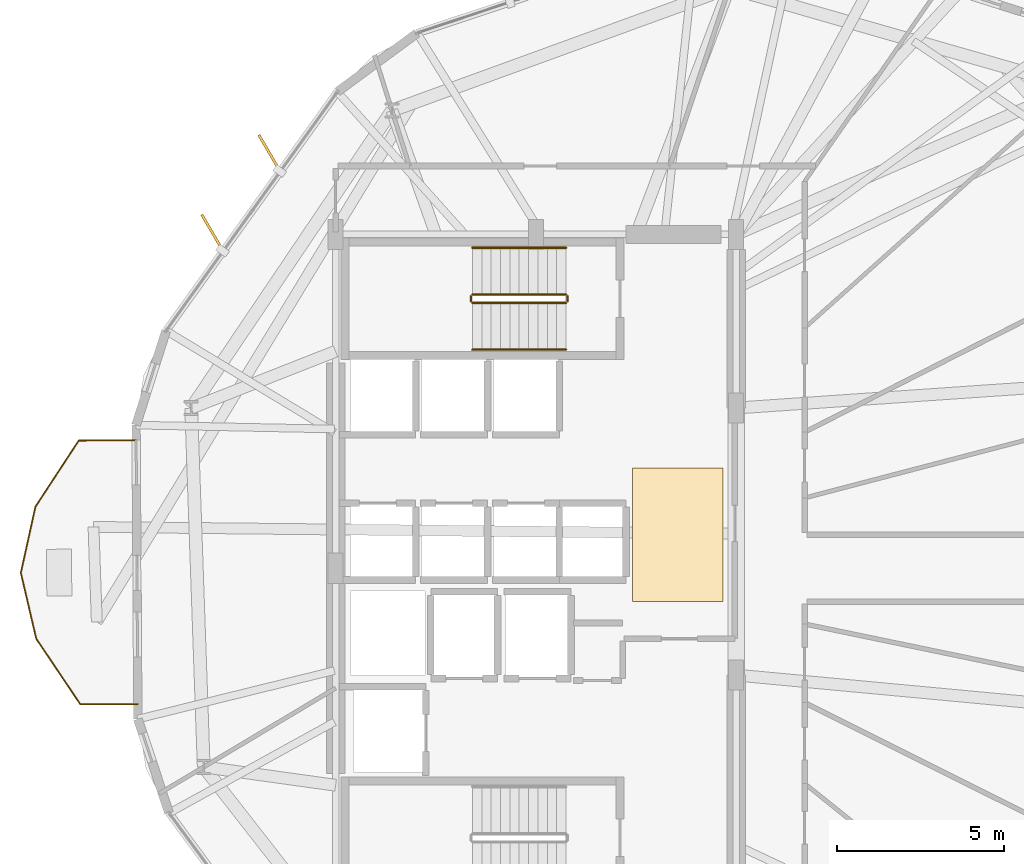
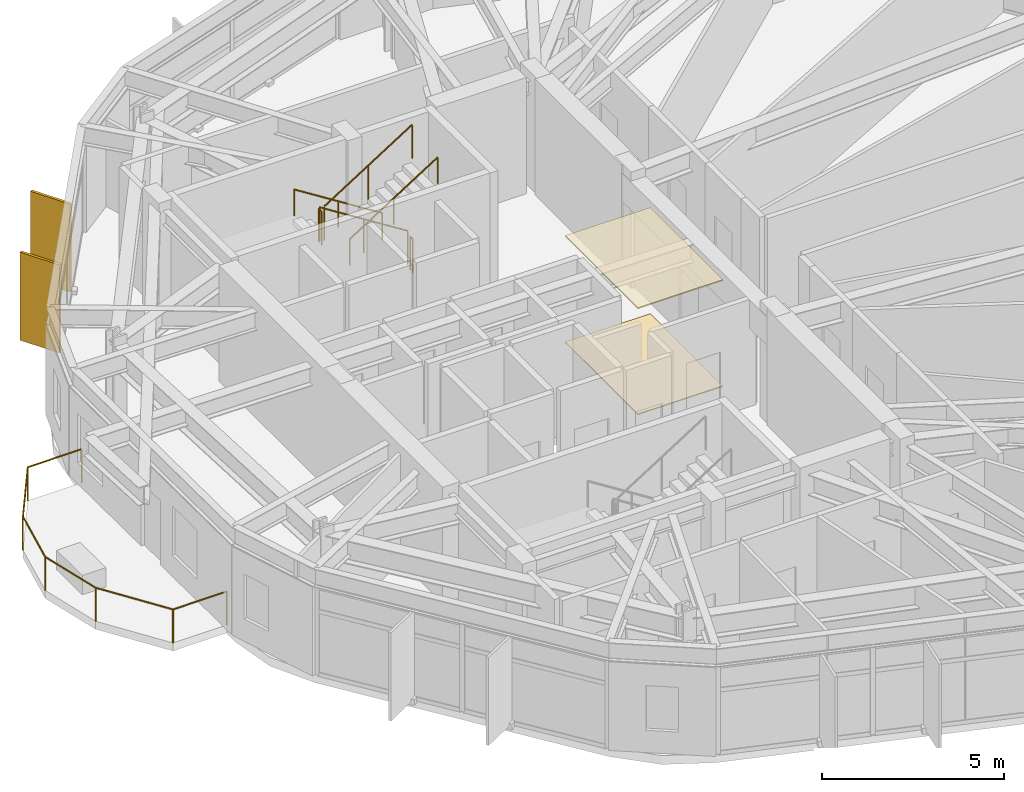
# One storey, part 26 of 27: 7 railings, 2 coverings, 2 shading devices.
"""IFC4 building model written with IfcOpenShell, lengths in metres."""

from ifc_helpers import new_model, si_unit, direction, frame, origin, origin_2d, place, context, subcontext, project, spatial, polyline, rectangle, circle, outline, extrude, material, layer, layer_set, type_object, element, save


model = new_model("IFC4")

# Units and contexts
model_context = context("Model", 3, precision=1e-05, world=origin(), true_north=direction((0.0, 1.0)))
body_context = subcontext(model_context, "Body", "Model", "MODEL_VIEW")
ifc_project = project(units=[si_unit("LENGTHUNIT", "METRE"), si_unit("AREAUNIT", "SQUARE_METRE"), si_unit("VOLUMEUNIT", "CUBIC_METRE"), si_unit("PLANEANGLEUNIT", "RADIAN"), si_unit("MASSUNIT", "GRAM", prefix="KILO")], contexts=[model_context])

# Site, building, storey
site_placement = place(None, origin())
site = spatial("IfcSite", under=ifc_project, at=site_placement, CompositionType="ELEMENT")
building_placement = place(site_placement, origin())
building = spatial("IfcBuilding", under=site, at=building_placement, Name="Soratama Intermodal Tower", CompositionType="ELEMENT")
storey_placement = place(building_placement, frame((0.0, 0.0, 99.10009765625)))
storey = spatial("IfcBuildingStorey", under=building, at=storey_placement, Name="L23", CompositionType="ELEMENT", Elevation=99.10009765625)

# Coverings
ifc_material_1 = material(Name="Perforated mineral acoustic ceiling", Category="concrete")
ifc_layer_1 = layer(ifc_material_1, 0.0400390625)
ifc_layer_set_1 = layer_set([ifc_layer_1], Name="Perforated mineral acoustic ceiling")
covering_type_1 = type_object("IfcCoveringType", Name="CV-CEIL-ACOUSTIC", PredefinedType="CEILING", material=ifc_layer_set_1)
covering_1_placement = place(storey_placement, frame((0.0, 0.0, 3.559814453125)))
element("IfcCovering", 1, at=covering_1_placement, inside=storey, type_object=covering_type_1, Name="L23 Acoustic Ceiling", PredefinedType="CEILING", context=body_context, shape_type="SweptSolid", body=[
    extrude(outline(polyline([(41.5, 24.0), (44.199951171875, 24.0), (44.199951171875, 28.0), (41.5, 28.0), (41.5, 24.0)])), origin(), (0.0, 0.0, 1.0), 0.0400390625),
])
ifc_material_2 = material(Name="Polished Andean stone terrazzo flooring", Category="masonry")
ifc_layer_2 = layer(ifc_material_2, 0.030029296875)
ifc_layer_set_2 = layer_set([ifc_layer_2], Name="Polished Andean stone terrazzo flooring")
covering_type_2 = type_object("IfcCoveringType", Name="CV-FLOR-TERRAZZO", PredefinedType="FLOORING", material=ifc_layer_set_2)
covering_2_placement = place(storey_placement, origin())
element("IfcCovering", 2, at=covering_2_placement, inside=storey, type_object=covering_type_2, Name="L23 Lobby Terrazzo Flooring", PredefinedType="FLOORING", context=body_context, shape_type="SweptSolid", body=[
    extrude(outline(polyline([(41.5, 24.0), (44.199951171875, 24.0), (44.199951171875, 28.0), (41.5, 28.0), (41.5, 24.0)])), origin(), (0.0, 0.0, 1.0), 0.02978515625),
])

# Railings
ifc_material_3 = material(Name="Laminated glass and stainless steel balustrade", Category="steel")
railing_type_1 = type_object("IfcRailingType", Name="RL-BAL-1150", PredefinedType="BALUSTRADE", material=ifc_material_3)
railing_1_placement = place(storey_placement, frame((26.67333984375, 20.931396484375, 0.0)))
element("IfcRailing", 3, at=railing_1_placement, inside=storey, type_object=railing_type_1, Name="L23 Balcony Balustrade 3", PredefinedType="BALUSTRADE", context=body_context, shape_type="SweptSolid", body=[
    extrude(circle(Radius=0.02392578125, at=origin_2d()), frame((0.0, 0.0, 1.1259765625), z_axis=(-0.999980497034, -0.006245442423, 0.0), x_axis=(0.006245442423, -0.999980497034, 0.0)), (0.0, 0.0, 1.0), 1.719970703125),
    extrude(circle(Radius=0.02392578125, at=origin_2d()), frame((-1.719970703125, -0.0107421875, 1.1259765625), z_axis=(-0.557926700246, 0.82989023199, 0.0), x_axis=(-0.82989023199, -0.557926700246, 0.0)), (0.0, 0.0, 1.0), 2.371826171875),
    extrude(circle(Radius=0.02392578125, at=origin_2d()), frame((-3.043212890625, 1.95751953125, 1.1259765625), z_axis=(-0.227629367038, 0.973747847886, 0.0), x_axis=(-0.973747847886, -0.227629367038, 0.0)), (0.0, 0.0, 1.0), 2.027099609375),
    extrude(circle(Radius=0.02392578125, at=origin_2d()), frame((-3.504638671875, 3.931396484375, 1.1259765625), z_axis=(0.215348851196, 0.976537184284, 0.0), x_axis=(-0.976537184284, 0.215348851196, 0.0)), (0.0, 0.0, 1.0), 2.027099609375),
    extrude(circle(Radius=0.02392578125, at=origin_2d()), frame((-3.068115234375, 5.910888671875, 1.1259765625), z_axis=(0.547482293231, 0.836817267149, 0.0), x_axis=(-0.836817267149, 0.547482293231, 0.0)), (0.0, 0.0, 1.0), 2.371826171875),
    extrude(circle(Radius=0.02392578125, at=origin_2d()), frame((-1.76953125, 7.895751953125, 1.1259765625), z_axis=(0.999980491497, 0.006246329021, 0.0), x_axis=(-0.006246329021, 0.999980491497, 0.0)), (0.0, 0.0, 1.0), 1.7197265625),
    extrude(circle(Radius=0.02099609375, at=origin_2d()), origin(), (0.0, 0.0, 1.0), 1.101806640625),
    extrude(circle(Radius=0.02099609375, at=origin_2d()), frame((-1.719970703125, -0.0107421875, 0.0)), (0.0, 0.0, 1.0), 1.101806640625),
    extrude(circle(Radius=0.02099609375, at=origin_2d()), frame((-3.043212890625, 1.95751953125, 0.0)), (0.0, 0.0, 1.0), 1.101806640625),
    extrude(circle(Radius=0.02099609375, at=origin_2d()), frame((-3.504638671875, 3.931396484375, 0.0)), (0.0, 0.0, 1.0), 1.101806640625),
    extrude(circle(Radius=0.02099609375, at=origin_2d()), frame((-3.068115234375, 5.910888671875, 0.0)), (0.0, 0.0, 1.0), 1.101806640625),
    extrude(circle(Radius=0.02099609375, at=origin_2d()), frame((-1.76953125, 7.895751953125, 0.0)), (0.0, 0.0, 1.0), 1.101806640625),
    extrude(circle(Radius=0.02099609375, at=origin_2d()), frame((-0.0498046875, 7.906494140625, 0.0)), (0.0, 0.0, 1.0), 1.101806640625),
])
ifc_material_4 = material(Name="Painted steel stair guardrail", Category="steel")
railing_type_2 = type_object("IfcRailingType", Name="RL-STAIR-GUARD", PredefinedType="GUARDRAIL", material=ifc_material_4)
railing_2_placement = place(storey_placement, frame((39.5, 33.199951171875, 0.17724609375)))
element("IfcRailing", 4, at=railing_2_placement, inside=storey, type_object=railing_type_2, Name="L23 ST-2 stair guard 1", PredefinedType="GUARDRAIL", context=body_context, shape_type="SweptSolid", body=[
    extrude(circle(Radius=0.02392578125, at=origin_2d()), frame((0.0, 0.0, 1.1259765625), z_axis=(-0.844908973607, 0.0, 0.534910110503), x_axis=(0.0, -1.0, 0.0)), (0.0, 0.0, 1.0), 3.31396484375),
    extrude(circle(Radius=0.02099609375, at=origin_2d()), origin(), (0.0, 0.0, 1.0), 1.101806640625),
    extrude(circle(Radius=0.02099609375, at=origin_2d()), frame((-1.39990234375, 0.0, 0.88623046875)), (0.0, 0.0, 1.0), 1.101806640625),
    extrude(circle(Radius=0.02099609375, at=origin_2d()), frame((-2.800048828125, 0.0, 1.772705078125)), (0.0, 0.0, 1.0), 1.101806640625),
])
railing_3_placement = place(storey_placement, frame((36.64990234375, 33.14990234375, 1.949951171875)))
element("IfcRailing", 5, at=railing_3_placement, inside=storey, type_object=railing_type_2, Name="L23 ST-2 stair guard 2", PredefinedType="GUARDRAIL", context=body_context, shape_type="SweptSolid", body=[
    extrude(circle(Radius=0.02392578125, at=origin_2d()), frame((0.0, 0.0, 1.1259765625), z_axis=(0.0, -1.0, 0.0), x_axis=(1.0, 0.0, 0.0)), (0.0, 0.0, 1.0), 0.14990234375),
    extrude(circle(Radius=0.02099609375, at=origin_2d()), origin(), (0.0, 0.0, 1.0), 1.101806640625),
    extrude(circle(Radius=0.02099609375, at=origin_2d()), frame((0.0, -0.14990234375, 0.0)), (0.0, 0.0, 1.0), 1.101806640625),
])
railing_4_placement = place(storey_placement, frame((36.699951171875, 32.949951171875, 2.127197265625)))
element("IfcRailing", 6, at=railing_4_placement, inside=storey, type_object=railing_type_2, Name="L23 ST-2 stair guard 3", PredefinedType="GUARDRAIL", context=body_context, shape_type="SweptSolid", body=[
    extrude(circle(Radius=0.02392578125, at=origin_2d()), frame((0.0, 0.0, 1.1259765625), z_axis=(0.844908973607, 0.0, 0.534910110503), x_axis=(0.0, 1.0, 0.0)), (0.0, 0.0, 1.0), 3.31396484375),
    extrude(circle(Radius=0.02099609375, at=origin_2d()), origin(), (0.0, 0.0, 1.0), 1.101806640625),
    extrude(circle(Radius=0.02099609375, at=origin_2d()), frame((1.39990234375, 0.0, 0.88623046875)), (0.0, 0.0, 1.0), 1.101806640625),
    extrude(circle(Radius=0.02099609375, at=origin_2d()), frame((2.800048828125, 0.0, 1.772705078125)), (0.0, 0.0, 1.0), 1.101806640625),
])
railing_5_placement = place(storey_placement, frame((39.550048828125, 33.14990234375, 0.0)))
element("IfcRailing", 7, at=railing_5_placement, inside=storey, type_object=railing_type_2, Name="L23 ST-2 stair guard 4", PredefinedType="GUARDRAIL", context=body_context, shape_type="SweptSolid", body=[
    extrude(circle(Radius=0.02392578125, at=origin_2d()), frame((0.0, 0.0, 1.1259765625), z_axis=(0.0, -1.0, 0.0), x_axis=(1.0, 0.0, 0.0)), (0.0, 0.0, 1.0), 0.14990234375),
    extrude(circle(Radius=0.02099609375, at=origin_2d()), origin(), (0.0, 0.0, 1.0), 1.101806640625),
    extrude(circle(Radius=0.02099609375, at=origin_2d()), frame((0.0, -0.14990234375, 0.0)), (0.0, 0.0, 1.0), 1.101806640625),
])
ifc_material_5 = material(Name="Brushed stainless steel handrail", Category="steel")
railing_type_3 = type_object("IfcRailingType", Name="RL-STAIR-HAND", PredefinedType="HANDRAIL", material=ifc_material_5)
railing_6_placement = place(storey_placement, frame((39.5, 34.60009765625, 0.17724609375)))
element("IfcRailing", 8, at=railing_6_placement, inside=storey, type_object=railing_type_3, Name="L23 ST-2 stair handrail 1", PredefinedType="HANDRAIL", context=body_context, shape_type="SweptSolid", body=[
    extrude(circle(Radius=0.02392578125, at=origin_2d()), frame((0.0, 0.0, 0.8759765625), z_axis=(-0.844908973607, 0.0, 0.534910110503), x_axis=(0.0, -1.0, 0.0)), (0.0, 0.0, 1.0), 3.31396484375),
    extrude(circle(Radius=0.02099609375, at=origin_2d()), origin(), (0.0, 0.0, 1.0), 0.851806640625),
    extrude(circle(Radius=0.02099609375, at=origin_2d()), frame((-1.39990234375, 0.0, 0.88623046875)), (0.0, 0.0, 1.0), 0.851806640625),
    extrude(circle(Radius=0.02099609375, at=origin_2d()), frame((-2.800048828125, 0.0, 1.772705078125)), (0.0, 0.0, 1.0), 0.851806640625),
])
railing_7_placement = place(storey_placement, frame((36.699951171875, 31.550048828125, 2.127197265625)))
element("IfcRailing", 9, at=railing_7_placement, inside=storey, type_object=railing_type_3, Name="L23 ST-2 stair handrail 2", PredefinedType="HANDRAIL", context=body_context, shape_type="SweptSolid", body=[
    extrude(circle(Radius=0.02392578125, at=origin_2d()), frame((0.0, 0.0, 0.8759765625), z_axis=(0.844908973607, 0.0, 0.534910110503), x_axis=(0.0, 1.0, 0.0)), (0.0, 0.0, 1.0), 3.31396484375),
    extrude(circle(Radius=0.02099609375, at=origin_2d()), origin(), (0.0, 0.0, 1.0), 0.851806640625),
    extrude(circle(Radius=0.02099609375, at=origin_2d()), frame((1.39990234375, 0.0, 0.88623046875)), (0.0, 0.0, 1.0), 0.851806640625),
    extrude(circle(Radius=0.02099609375, at=origin_2d()), frame((2.800048828125, 0.0, 1.772705078125)), (0.0, 0.0, 1.0), 0.851806640625),
])

# Shading devices
ifc_material_6 = material(Name="Champagne anodised aluminium solar fin", Category="aluminium")
ifc_layer_3 = layer(ifc_material_6, 0.080078125)
ifc_layer_set_3 = layer_set([ifc_layer_3], Name="Champagne anodised aluminium solar fin")
shading_device_type = type_object("IfcShadingDeviceType", Name="SH-FIN-1250", PredefinedType="USERDEFINED", material=ifc_layer_set_3)
for number, where, z_axis, x_axis, name in (
    (10, (30.61474609375, 37.44287109375, 0.02001953125), (0.0, 0.0, 1.0), (-0.505431492718, 0.862866737202, 0.0), "L23 Solar Fin F04-1"),
    (11, (28.904296875, 35.05712890625, 0.02001953125), (0.0, 0.0, 1.0), (-0.505431492718, 0.862866737202, 0.0), "L23 Solar Fin F04-2"),
):
    element("IfcShadingDevice", number, at=place(storey_placement, frame(where, z_axis=z_axis, x_axis=x_axis)), inside=storey, type_object=shading_device_type, Name=name, ObjectType="FIN", PredefinedType="USERDEFINED", context=body_context, shape_type="SweptSolid", body=[
        extrude(rectangle(XDim=1.25, YDim=0.080078125, at=origin_2d()), origin(), (0.0, 0.0, 1.0), 2.958984375),
    ])

save(model, "model.ifc")
